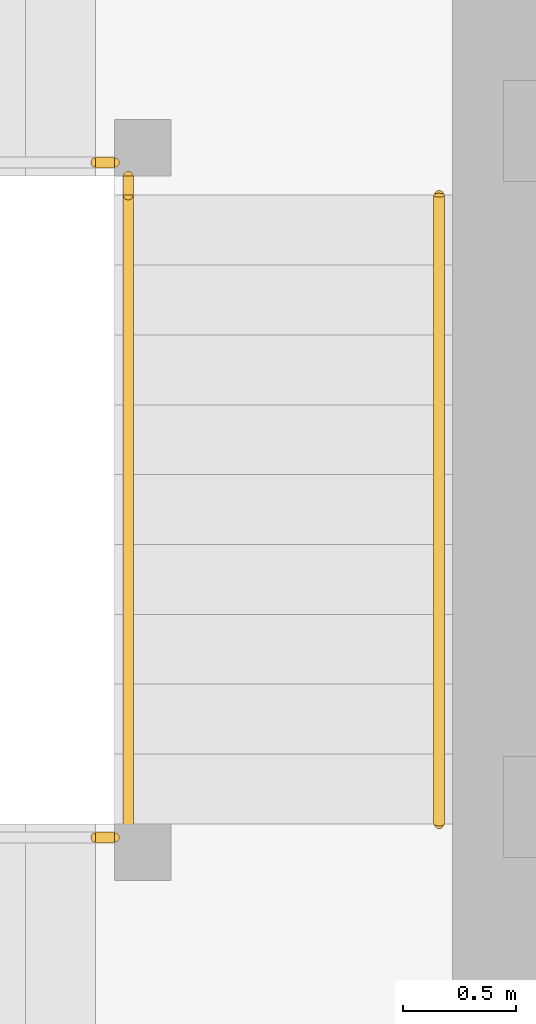
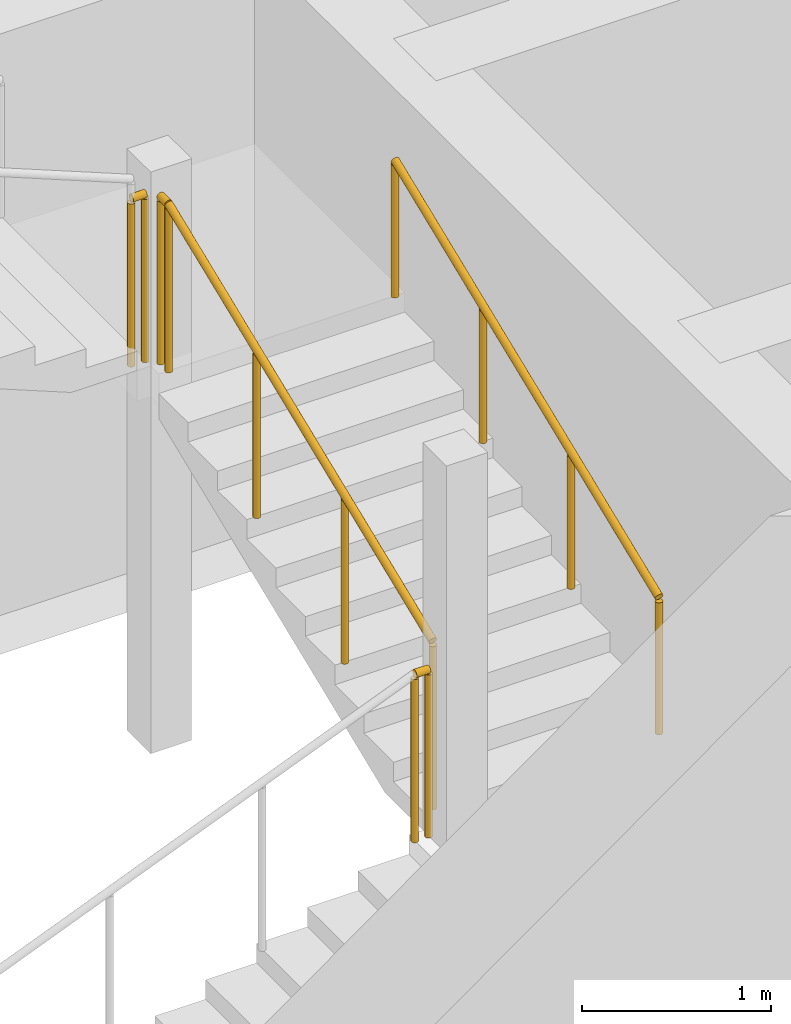
# One storey, part 36 of 40: 5 railings.
"""IFC4 building model written with IfcOpenShell, lengths in metres."""

from ifc_helpers import new_model, si_unit, direction, frame, origin, origin_2d, place, context, subcontext, project, spatial, circle, extrude, material, type_object, element, save


model = new_model("IFC4")

# Units and contexts
model_context = context("Model", 3, precision=1e-05, world=origin(), true_north=direction((0.0, 1.0)))
body_context = subcontext(model_context, "Body", "Model", "MODEL_VIEW")
ifc_project = project(units=[si_unit("LENGTHUNIT", "METRE"), si_unit("AREAUNIT", "SQUARE_METRE"), si_unit("VOLUMEUNIT", "CUBIC_METRE"), si_unit("PLANEANGLEUNIT", "RADIAN"), si_unit("MASSUNIT", "GRAM", prefix="KILO")], contexts=[model_context])

# Site, building, storey
site_placement = place(None, origin())
site = spatial("IfcSite", under=ifc_project, at=site_placement, CompositionType="ELEMENT")
building_placement = place(site_placement, origin())
building = spatial("IfcBuilding", under=site, at=building_placement, Name="Rekha Terrace Tower", CompositionType="ELEMENT")
storey_placement = place(building_placement, frame((0.0, 0.0, 132.800048828125)))
storey = spatial("IfcBuildingStorey", under=building, at=storey_placement, Name="L33", CompositionType="ELEMENT", Elevation=132.800048828125)

# Railings
ifc_material_1 = material(Name="Stainless steel balustrade", Category="steel")
railing_type_1 = type_object("IfcRailingType", Name="GR1 1100 stair guard", PredefinedType="GUARDRAIL", material=ifc_material_1)
railing_1_placement = place(storey_placement, frame((30.135009765625, 41.324951171875, 1.375)))
element("IfcRailing", 1, at=railing_1_placement, inside=storey, type_object=railing_type_1, Name="Guard ST4 L33 flight 2", PredefinedType="GUARDRAIL", context=body_context, shape_type="SweptSolid", body=[
    extrude(circle(Radius=0.02392578125, at=origin_2d()), frame((0.0, 0.0, 1.076171875), z_axis=(0.0, 0.927443287984, 0.373963831907), x_axis=(-1.0, 0.0, 0.0)), (0.0, 0.0, 1.0), 3.00830078125),
    extrude(circle(Radius=0.02099609375, at=origin_2d()), origin(), (0.0, 0.0, 1.0), 1.052001953125),
    extrude(circle(Radius=0.02099609375, at=origin_2d()), frame((0.0, 0.929931640625, 0.375)), (0.0, 0.0, 1.0), 1.052001953125),
    extrude(circle(Radius=0.02099609375, at=origin_2d()), frame((0.0, 1.860107421875, 0.75)), (0.0, 0.0, 1.0), 1.052001953125),
    extrude(circle(Radius=0.02099609375, at=origin_2d()), frame((0.0, 2.7900390625, 1.125)), (0.0, 0.0, 1.0), 1.052001953125),
])
railing_2_placement = place(storey_placement, frame((29.989990234375, 41.264892578125, 1.25)))
element("IfcRailing", 2, at=railing_2_placement, inside=storey, type_object=railing_type_1, Name="Guard ST4 L33 landing 1", PredefinedType="GUARDRAIL", context=body_context, shape_type="SweptSolid", body=[
    extrude(circle(Radius=0.02392578125, at=origin_2d()), frame((0.0, 0.0, 1.076171875), z_axis=(1.0, 0.0, 0.0), x_axis=(0.0, 1.0, 0.0)), (0.0, 0.0, 1.0), 0.0849609375),
    extrude(circle(Radius=0.02099609375, at=origin_2d()), origin(), (0.0, 0.0, 1.0), 1.052001953125),
    extrude(circle(Radius=0.02099609375, at=origin_2d()), frame((0.0849609375, 0.0, 0.0)), (0.0, 0.0, 1.0), 1.052001953125),
])
railing_3_placement = place(storey_placement, frame((30.135009765625, 44.114990234375, 2.5)))
element("IfcRailing", 3, at=railing_3_placement, inside=storey, type_object=railing_type_1, Name="Guard ST4 L33 landing 2", PredefinedType="GUARDRAIL", context=body_context, shape_type="SweptSolid", body=[
    extrude(circle(Radius=0.02392578125, at=origin_2d()), frame((0.0, 0.0, 1.076171875), z_axis=(0.0, 1.0, 0.0), x_axis=(-1.0, 0.0, 0.0)), (0.0, 0.0, 1.0), 0.0849609375),
    extrude(circle(Radius=0.02099609375, at=origin_2d()), origin(), (0.0, 0.0, 1.0), 1.052001953125),
    extrude(circle(Radius=0.02099609375, at=origin_2d()), frame((0.0, 0.0849609375, 0.0)), (0.0, 0.0, 1.0), 1.052001953125),
])
railing_4_placement = place(storey_placement, frame((29.989990234375, 44.260009765625, 2.5)))
element("IfcRailing", 4, at=railing_4_placement, inside=storey, type_object=railing_type_1, Name="Guard ST4 L33 landing 3", PredefinedType="GUARDRAIL", context=body_context, shape_type="SweptSolid", body=[
    extrude(circle(Radius=0.02392578125, at=origin_2d()), frame((0.0, 0.0, 1.076171875), z_axis=(1.0, 0.0, 0.0), x_axis=(0.0, 1.0, 0.0)), (0.0, 0.0, 1.0), 0.0849609375),
    extrude(circle(Radius=0.02099609375, at=origin_2d()), origin(), (0.0, 0.0, 1.0), 1.052001953125),
    extrude(circle(Radius=0.02099609375, at=origin_2d()), frame((0.0849609375, 0.0, 0.0)), (0.0, 0.0, 1.0), 1.052001953125),
])
ifc_material_2 = material(Name="Stainless steel tube", Category="steel")
railing_type_2 = type_object("IfcRailingType", Name="HR1 900 stair handrail", PredefinedType="HANDRAIL", material=ifc_material_2)
railing_5_placement = place(storey_placement, frame((31.514892578125, 41.324951171875, 1.375)))
element("IfcRailing", 5, at=railing_5_placement, inside=storey, type_object=railing_type_2, Name="Handrail ST4 L33 flight 2", PredefinedType="HANDRAIL", context=body_context, shape_type="SweptSolid", body=[
    extrude(circle(Radius=0.02392578125, at=origin_2d()), frame((0.0, 0.0, 0.8759765625), z_axis=(0.0, 0.927443287984, 0.373963831907), x_axis=(-1.0, 0.0, 0.0)), (0.0, 0.0, 1.0), 3.00830078125),
    extrude(circle(Radius=0.02099609375, at=origin_2d()), origin(), (0.0, 0.0, 1.0), 0.851806640625),
    extrude(circle(Radius=0.02099609375, at=origin_2d()), frame((0.0, 0.929931640625, 0.375)), (0.0, 0.0, 1.0), 0.851806640625),
    extrude(circle(Radius=0.02099609375, at=origin_2d()), frame((0.0, 1.860107421875, 0.75)), (0.0, 0.0, 1.0), 0.851806640625),
    extrude(circle(Radius=0.02099609375, at=origin_2d()), frame((0.0, 2.7900390625, 1.125)), (0.0, 0.0, 1.0), 0.851806640625),
])

save(model, "model.ifc")
